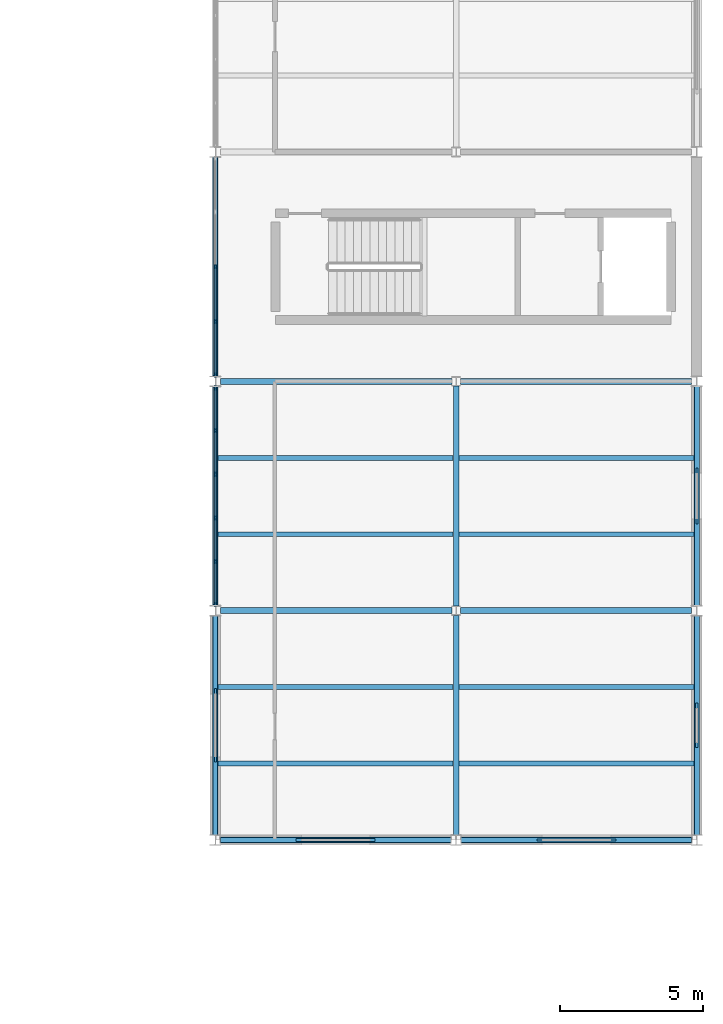
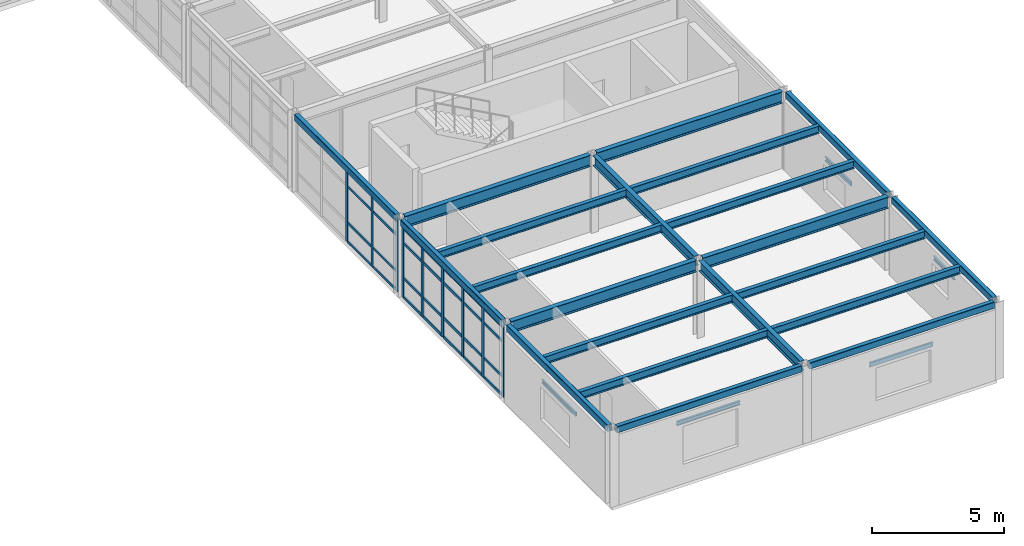
# One storey, part 30 of 96: 37 members, 26 beams, 2 elements without a shape of their own.
"""IFC4 building model written with IfcOpenShell, lengths in metres."""

import ifcopenshell
import ifcopenshell.guid

model = None  # the IFC model being written
_history = None  # IfcOwnerHistory: only IFC2X3 demands one
_inside = {}  # id of a spatial element -> (the spatial element, [elements in it])
_under = {}  # id of a project, library or spatial element -> (it, [spatial elements below it])
_declared = {}  # id of a project -> (the project, [libraries it declares])
_typed = {}  # id of a type object -> (the type object, [elements of that type])
_made_of = {}  # id of a material, layer set ... -> (it, [elements and type objects made of it])


def new_model(schema):
    """Start an empty IFC model of exactly this schema.

    Asked for "IFC4X3", IfcOpenShell would pick the latest addendum, in which some entities
    have other attributes; the version numbers below select the first issue.
    IFC2X3 requires an IfcOwnerHistory on every rooted entity: one is made here for all.
    """
    global model, _history
    if schema == "IFC4X3":
        model = ifcopenshell.file(schema_version=(4, 3, 0, 0))
    else:
        model = ifcopenshell.file(schema=schema)
    _inside.clear()
    _under.clear()
    _declared.clear()
    _typed.clear()
    _made_of.clear()
    _history = None
    if model.schema == "IFC2X3":
        org = make("IfcOrganization", Name="unknown")
        user = make(
            "IfcPersonAndOrganization",
            ThePerson=make("IfcPerson", FamilyName="unknown"),
            TheOrganization=org,
        )
        app = make(
            "IfcApplication",
            ApplicationDeveloper=org,
            Version="unknown",
            ApplicationFullName="unknown",
            ApplicationIdentifier="unknown",
        )
        _history = make(
            "IfcOwnerHistory",
            OwningUser=user,
            OwningApplication=app,
            ChangeAction="ADDED",
            CreationDate=0,
        )
    return model


def make(cls, **values):
    """One entity of the class cls with the attributes given. An attribute that is None is left unset."""
    return model.create_entity(
        cls, **{name: value for name, value in values.items() if value is not None}
    )


def rooted(cls, **values):
    """An entity with a GlobalId (a new one), such as an element, a storey or a relation."""
    return make(cls, GlobalId=ifcopenshell.guid.new(), OwnerHistory=_history, **values)


def si_unit(unit_type, name, prefix=None):
    """IfcSIUnit, for example si_unit("LENGTHUNIT", "METRE", prefix="MILLI")."""
    return make("IfcSIUnit", UnitType=unit_type, Prefix=prefix, Name=name)


def assignment(units):
    """IfcUnitAssignment: the units of a project."""
    return None if units is None else make("IfcUnitAssignment", Units=units)


def point(xyz):
    """IfcCartesianPoint."""
    return None if xyz is None else make("IfcCartesianPoint", Coordinates=xyz)


def direction(xyz):
    """IfcDirection."""
    return None if xyz is None else make("IfcDirection", DirectionRatios=xyz)


def frame(location, z_axis=None, x_axis=None):
    """IfcAxis2Placement3D, a coordinate frame: its origin and axes. An axis left out is left unset."""
    return make(
        "IfcAxis2Placement3D",
        Location=point(location),
        Axis=direction(z_axis),
        RefDirection=direction(x_axis),
    )


def frame_2d(location, x_axis=None):
    """IfcAxis2Placement2D, a coordinate frame in the plane: its origin and x axis."""
    return make(
        "IfcAxis2Placement2D", Location=point(location), RefDirection=direction(x_axis)
    )


def origin():
    """The frame at (0, 0, 0) with its axes left unset."""
    return frame((0.0, 0.0, 0.0))


def origin_2d():
    """The frame at (0, 0) in the plane with its x axis left unset."""
    return frame_2d((0.0, 0.0))


def place(relative_to, where):
    """IfcLocalPlacement: puts the frame where relative to a parent placement (None: the world)."""
    return make(
        "IfcLocalPlacement", PlacementRelTo=relative_to, RelativePlacement=where
    )


def context(
    kind, dimensions, precision=None, world=None, true_north=None, identifier=None
):
    """IfcGeometricRepresentationContext, for example the 3D "Model" context."""
    return make(
        "IfcGeometricRepresentationContext",
        ContextIdentifier=identifier,
        ContextType=kind,
        CoordinateSpaceDimension=dimensions,
        Precision=precision,
        WorldCoordinateSystem=world,
        TrueNorth=true_north,
    )


def subcontext(parent, identifier, kind, view, scale=None):
    """IfcGeometricRepresentationSubContext, for example "Body" below "Model"."""
    return make(
        "IfcGeometricRepresentationSubContext",
        ContextIdentifier=identifier,
        ContextType=kind,
        ParentContext=parent,
        TargetScale=scale,
        TargetView=view,
    )


def project(units=None, contexts=None):
    """IfcProject with its units and contexts."""
    return rooted(
        "IfcProject",
        Name="project",
        RepresentationContexts=contexts,
        UnitsInContext=assignment(units),
    )


def spatial(cls, under=None, at=None, **own):
    """A site, building, storey or space (cls), placed at a placement, below another one or the project."""
    s = rooted(cls, ObjectPlacement=at, **own)
    if under is not None:
        _under.setdefault(under.id(), (under, []))[1].append(s)
    return s


def profile(cls, at=None, kind="AREA", **sizes):
    """A parametric profile (cls). Its sizes go by their IFC names, for example OverallWidth=200.0."""
    return make(cls, ProfileType=kind, Position=at, **sizes)


def rectangle(**sizes):
    """IfcRectangleProfileDef."""
    return profile("IfcRectangleProfileDef", **sizes)


def hollow_rectangle(**sizes):
    """IfcRectangleHollowProfileDef."""
    return profile("IfcRectangleHollowProfileDef", **sizes)


def i_section(**sizes):
    """IfcIShapeProfileDef."""
    return profile("IfcIShapeProfileDef", **sizes)


def u_section(**sizes):
    """IfcUShapeProfileDef."""
    return profile("IfcUShapeProfileDef", **sizes)


def extrude(swept, where, along, depth):
    """IfcExtrudedAreaSolid: the profile swept, set in the frame where, extruded along a direction by depth."""
    return make(
        "IfcExtrudedAreaSolid",
        SweptArea=swept,
        Position=where,
        ExtrudedDirection=direction(along),
        Depth=depth,
    )


def shape(context_of_items, identifier, shape_type, items):
    """IfcShapeRepresentation: the items that make up one representation, for example the "Body"."""
    return make(
        "IfcShapeRepresentation",
        ContextOfItems=context_of_items,
        RepresentationIdentifier=identifier,
        RepresentationType=shape_type,
        Items=items,
    )


def material(Name=None, Category=None):
    """IfcMaterial."""
    return make("IfcMaterial", Name=Name, Category=Category)


def layer(
    of_material, thickness, ventilated=None, Name=None, Category=None, Priority=None
):
    """IfcMaterialLayer: one layer of a wall or slab, of a material (None: an air gap)."""
    return make(
        "IfcMaterialLayer",
        Material=of_material,
        LayerThickness=thickness,
        IsVentilated=ventilated,
        Name=Name,
        Category=Category,
        Priority=Priority,
    )


def layer_set(layers, Name=None):
    """IfcMaterialLayerSet."""
    return make("IfcMaterialLayerSet", MaterialLayers=layers, LayerSetName=Name)


def material_profile(
    of_material, cross_section, Name=None, Category=None, Priority=None
):
    """IfcMaterialProfile: a cross section and its material."""
    return make(
        "IfcMaterialProfile",
        Name=Name,
        Material=of_material,
        Profile=cross_section,
        Priority=Priority,
        Category=Category,
    )


def profile_set(profiles, Name=None, composite=None):
    """IfcMaterialProfileSet."""
    return make(
        "IfcMaterialProfileSet",
        Name=Name,
        MaterialProfiles=profiles,
        CompositeProfile=composite,
    )


def made_of(thing, what):
    """Note that an element or type object is made of a material, layer set ...; save() writes the relation."""
    if what is not None:
        _made_of.setdefault(what.id(), (what, []))[1].append(thing)
    return thing


def type_object(cls, material=None, **own):
    """A type object (cls), such as IfcWallType, which elements share."""
    return made_of(rooted(cls, **own), material)


def element(
    cls,
    number,
    at=None,
    inside=None,
    cuts=None,
    type_object=None,
    material=None,
    context=None,
    identifier="Body",
    shape_type=None,
    held_by="IfcProductDefinitionShape",
    body=None,
    shapes=None,
    **own,
):
    """One element of the class cls, such as IfcWall. Its Tag is "e" and its number.

    at: its placement. inside: the storey or other place that contains it. cuts: it is an
    opening in that element (IfcRelVoidsElement). A single representation is given by context,
    identifier, shape_type and body (its items); several are given by shapes. held_by: the class
    of the entity that holds the representations. save() writes the other relations.
    """
    e = rooted(cls, Tag="e%d" % number, ObjectPlacement=at, **own)
    if body is not None:
        shapes = [shape(context, identifier, shape_type, body)]
    if shapes is not None:
        e.Representation = make(held_by, Representations=shapes)
    if inside is not None:
        _inside.setdefault(inside.id(), (inside, []))[1].append(e)
    if cuts is not None:
        rooted(
            "IfcRelVoidsElement", RelatingBuildingElement=cuts, RelatedOpeningElement=e
        )
    if type_object is not None:
        _typed.setdefault(type_object.id(), (type_object, []))[1].append(e)
    return made_of(e, material)


def aggregate(whole, parts):
    """IfcRelAggregates: a whole, such as a stair, and the parts it consists of."""
    return rooted("IfcRelAggregates", RelatingObject=whole, RelatedObjects=parts)


def save(model, path):
    """Write the relations noted so far, then the file.

    IfcRelAggregates (storeys below a building ...), IfcRelContainedInSpatialStructure (elements
    in a storey), IfcRelDefinesByType, IfcRelAssociatesMaterial and IfcRelDeclares: one each for
    every whole, place, type object, material and project.
    """
    for whole, parts in _under.values():
        aggregate(whole, parts)
    for where, things in _inside.values():
        rooted(
            "IfcRelContainedInSpatialStructure",
            RelatedElements=things,
            RelatingStructure=where,
        )
    for kind, things in _typed.values():
        rooted("IfcRelDefinesByType", RelatedObjects=things, RelatingType=kind)
    for what, things in _made_of.values():
        rooted("IfcRelAssociatesMaterial", RelatedObjects=things, RelatingMaterial=what)
    for by, libraries in _declared.values():
        rooted("IfcRelDeclares", RelatingContext=by, RelatedDefinitions=libraries)
    model.write(path)


model = new_model("IFC4")

# Units and contexts
model_context = context("Model", 3, precision=1e-05, world=origin(), true_north=direction((0.0, 1.0)))
body_context = subcontext(model_context, "Body", "Model", "MODEL_VIEW")
ifc_project = project(units=[si_unit("LENGTHUNIT", "METRE"), si_unit("AREAUNIT", "SQUARE_METRE"), si_unit("VOLUMEUNIT", "CUBIC_METRE"), si_unit("PLANEANGLEUNIT", "RADIAN"), si_unit("MASSUNIT", "GRAM", prefix="KILO")], contexts=[model_context])

# Site, building, storey
site_placement = place(None, origin())
site = spatial("IfcSite", under=ifc_project, at=site_placement, CompositionType="ELEMENT")
building_placement = place(site_placement, origin())
building = spatial("IfcBuilding", under=site, at=building_placement, Name="Kranzveld Transit Interchange", CompositionType="ELEMENT")
storey_placement = place(building_placement, frame((0.0, 0.0, 9.52001953125)))
storey = spatial("IfcBuildingStorey", under=building, at=storey_placement, Name="L02", CompositionType="ELEMENT", Elevation=9.52001953125)

# Beams
ifc_material_1 = material(Name="Steel S355JR", Category="steel")
ifc_material_profile_1 = material_profile(ifc_material_1, i_section(OverallWidth=0.19189453125, OverallDepth=0.46337890625, WebThickness=0.010498046875, FlangeThickness=0.017578125, FilletRadius=0.01025390625, at=origin_2d()), Name="UB 457x191x89")
ifc_profile_set_1 = profile_set([ifc_material_profile_1], Name="Steel S355JR")
beam_type_1 = type_object("IfcBeamType", Name="Beam Steel UB 457x191x89 S355JR", PredefinedType="BEAM", material=ifc_profile_set_1)
beam_1_placement = place(storey_placement, frame((159.60009765625, 56.17724609375, 3.33837890625), z_axis=(0.0, 1.0, 0.0), x_axis=(-1.0, 0.0, 0.0)))
element("IfcBeam", 1, at=beam_1_placement, inside=storey, type_object=beam_type_1, Name="L02 Girder 20/H-J", PredefinedType="BEAM", context=body_context, shape_type="SweptSolid", body=[
    extrude(i_section(OverallWidth=0.19189453125, OverallDepth=0.46337890625, WebThickness=0.010498046875, FlangeThickness=0.017578125, FilletRadius=0.01025390625, at=origin_2d()), origin(), (0.0, 0.0, 1.0), 7.662841796875),
])
beam_2_placement = place(storey_placement, frame((159.60009765625, 64.159912109375, 3.33837890625), z_axis=(0.0, 1.0, 0.0), x_axis=(-1.0, 0.0, 0.0)))
element("IfcBeam", 2, at=beam_2_placement, inside=storey, type_object=beam_type_1, Name="L02 Girder 20/J-K", PredefinedType="BEAM", context=body_context, shape_type="SweptSolid", body=[
    extrude(i_section(OverallWidth=0.19189453125, OverallDepth=0.46337890625, WebThickness=0.010498046875, FlangeThickness=0.017578125, FilletRadius=0.01025390625, at=origin_2d()), origin(), (0.0, 0.0, 1.0), 7.68017578125),
])

# Curtain wall, members
ifc_material_2 = material(Name="Bronze-anodised thermally broken aluminium", Category="aluminium")
ifc_layer_1 = layer(ifc_material_2, 0.159912109375)
ifc_layer_set_1 = layer_set([ifc_layer_1], Name="Bronze-anodised thermally broken aluminium")
curtain_wall_type_1 = type_object("IfcCurtainWallType", Name="Bus Boarding Glazed Screen CW-3", PredefinedType="USERDEFINED", material=ifc_layer_set_1)
curtain_wall_1_placement = place(storey_placement, origin())
curtain_wall_1 = element("IfcCurtainWall", 3, at=curtain_wall_1_placement, inside=storey, type_object=curtain_wall_type_1, Name="L02 Curtain Wall 19/K-19/L", ObjectType="CURTAIN WALL", PredefinedType="USERDEFINED")
ifc_material_3 = material(Name="Bronze-anodised thermally broken aluminium", Category="aluminium")
ifc_material_profile_2 = material_profile(ifc_material_3, rectangle(XDim=0.06005859375, YDim=0.14990234375, at=origin_2d()), Name="ALU MULLION 60x150")
ifc_profile_set_2 = profile_set([ifc_material_profile_2], Name="Bronze-anodised thermally broken aluminium")
member_type_1 = type_object("IfcMemberType", Name="Curtain Wall Mullion 60x150 Alu", PredefinedType="MULLION", material=ifc_profile_set_2)
member_1_placement = place(storey_placement, frame((151.199951171875, 72.21728515625, 0.0), z_axis=(0.0, 0.0, 1.0), x_axis=(-1.0, 0.0, 0.0)))
member_1 = element("IfcMember", 4, at=member_1_placement, type_object=member_type_1, Name="CW-3 mullion 1", PredefinedType="MULLION", context=body_context, shape_type="SweptSolid", body=[
    extrude(rectangle(XDim=0.06005859375, YDim=0.14990234375, at=origin_2d()), origin(), (0.0, 0.0, 1.0), 3.27001953125),
])
member_2_placement = place(storey_placement, frame((151.199951171875, 74.09375, 0.0), z_axis=(0.0, 0.0, 1.0), x_axis=(-1.0, 0.0, 0.0)))
member_2 = element("IfcMember", 5, at=member_2_placement, type_object=member_type_1, Name="CW-3 mullion 2", PredefinedType="MULLION", context=body_context, shape_type="SweptSolid", body=[
    extrude(rectangle(XDim=0.06005859375, YDim=0.14990234375, at=origin_2d()), origin(), (0.0, 0.0, 1.0), 3.27001953125),
])
member_3_placement = place(storey_placement, frame((151.199951171875, 76.0, 0.0), z_axis=(0.0, 0.0, 1.0), x_axis=(-1.0, 0.0, 0.0)))
member_3 = element("IfcMember", 6, at=member_3_placement, type_object=member_type_1, Name="CW-3 mullion 3", PredefinedType="MULLION", context=body_context, shape_type="SweptSolid", body=[
    extrude(rectangle(XDim=0.06005859375, YDim=0.14990234375, at=origin_2d()), origin(), (0.0, 0.0, 1.0), 3.27001953125),
])

ifc_material_4 = material(Name="Bronze-anodised thermally broken aluminium", Category="aluminium")
ifc_layer_2 = layer(ifc_material_4, 0.1650390625)
ifc_layer_set_2 = layer_set([ifc_layer_2], Name="Bronze-anodised thermally broken aluminium")
curtain_wall_type_2 = type_object("IfcCurtainWallType", Name="Sunny Court Arcade Curtain Wall CW-2", PredefinedType="USERDEFINED", material=ifc_layer_set_2)
curtain_wall_2_placement = place(storey_placement, origin())
curtain_wall_2 = element("IfcCurtainWall", 7, at=curtain_wall_2_placement, inside=storey, type_object=curtain_wall_type_2, Name="L02 Curtain Wall 19/J-19/K", ObjectType="CURTAIN WALL", PredefinedType="USERDEFINED")
ifc_material_5 = material(Name="Bronze-anodised thermally broken aluminium", Category="aluminium")
ifc_material_profile_3 = material_profile(ifc_material_5, rectangle(XDim=0.06494140625, YDim=0.1650390625, at=origin_2d()), Name="ALU MULLION 65x165")
ifc_profile_set_3 = profile_set([ifc_material_profile_3], Name="Bronze-anodised thermally broken aluminium")
member_type_2 = type_object("IfcMemberType", Name="Curtain Wall Mullion 65x165 Alu", PredefinedType="MULLION", material=ifc_profile_set_3)
member_4_placement = place(storey_placement, frame((151.199951171875, 64.2197265625, 0.0), z_axis=(0.0, 0.0, 1.0), x_axis=(-1.0, 0.0, 0.0)))
member_4 = element("IfcMember", 8, at=member_4_placement, type_object=member_type_2, Name="CW-2 mullion 1", PredefinedType="MULLION", context=body_context, shape_type="SweptSolid", body=[
    extrude(rectangle(XDim=0.06494140625, YDim=0.1650390625, at=origin_2d()), origin(), (0.0, 0.0, 1.0), 3.218505859375),
])
member_5_placement = place(storey_placement, frame((151.199951171875, 65.71240234375, 0.0), z_axis=(0.0, 0.0, 1.0), x_axis=(-1.0, 0.0, 0.0)))
member_5 = element("IfcMember", 9, at=member_5_placement, type_object=member_type_2, Name="CW-2 mullion 2", PredefinedType="MULLION", context=body_context, shape_type="SweptSolid", body=[
    extrude(rectangle(XDim=0.06494140625, YDim=0.1650390625, at=origin_2d()), origin(), (0.0, 0.0, 1.0), 3.218505859375),
])
member_6_placement = place(storey_placement, frame((151.199951171875, 67.237548828125, 0.0), z_axis=(0.0, 0.0, 1.0), x_axis=(-1.0, 0.0, 0.0)))
member_6 = element("IfcMember", 10, at=member_6_placement, type_object=member_type_2, Name="CW-2 mullion 3", PredefinedType="MULLION", context=body_context, shape_type="SweptSolid", body=[
    extrude(rectangle(XDim=0.06494140625, YDim=0.1650390625, at=origin_2d()), origin(), (0.0, 0.0, 1.0), 3.218505859375),
])
member_7_placement = place(storey_placement, frame((151.199951171875, 68.762451171875, 0.0), z_axis=(0.0, 0.0, 1.0), x_axis=(-1.0, 0.0, 0.0)))
member_7 = element("IfcMember", 11, at=member_7_placement, type_object=member_type_2, Name="CW-2 mullion 4", PredefinedType="MULLION", context=body_context, shape_type="SweptSolid", body=[
    extrude(rectangle(XDim=0.06494140625, YDim=0.1650390625, at=origin_2d()), origin(), (0.0, 0.0, 1.0), 3.218505859375),
])
member_8_placement = place(storey_placement, frame((151.199951171875, 70.28759765625, 0.0), z_axis=(0.0, 0.0, 1.0), x_axis=(-1.0, 0.0, 0.0)))
member_8 = element("IfcMember", 12, at=member_8_placement, type_object=member_type_2, Name="CW-2 mullion 5", PredefinedType="MULLION", context=body_context, shape_type="SweptSolid", body=[
    extrude(rectangle(XDim=0.06494140625, YDim=0.1650390625, at=origin_2d()), origin(), (0.0, 0.0, 1.0), 3.218505859375),
])
member_9_placement = place(storey_placement, frame((151.199951171875, 71.7802734375, 0.0), z_axis=(0.0, 0.0, 1.0), x_axis=(-1.0, 0.0, 0.0)))
member_9 = element("IfcMember", 13, at=member_9_placement, type_object=member_type_2, Name="CW-2 mullion 6", PredefinedType="MULLION", context=body_context, shape_type="SweptSolid", body=[
    extrude(rectangle(XDim=0.06494140625, YDim=0.1650390625, at=origin_2d()), origin(), (0.0, 0.0, 1.0), 3.218505859375),
])

# Member
ifc_material_6 = material(Name="Bronze-anodised thermally broken aluminium", Category="aluminium")
ifc_material_profile_4 = material_profile(ifc_material_6, rectangle(XDim=0.06005859375, YDim=0.110107421875, at=origin_2d()), Name="ALU TRANSOM 60x110")
ifc_profile_set_4 = profile_set([ifc_material_profile_4], Name="Bronze-anodised thermally broken aluminium")
member_type_3 = type_object("IfcMemberType", Name="Curtain Wall Transom 60x110 Alu", PredefinedType="USERDEFINED", material=ifc_profile_set_4)
member_10_placement = place(storey_placement, frame((151.199951171875, 72.247314453125, 0.030029296875), z_axis=(0.0, 1.0, 0.0), x_axis=(-1.0, 0.0, 0.0)))
member_10 = element("IfcMember", 14, at=member_10_placement, type_object=member_type_3, Name="CW-3 transom 1.1", ObjectType="TRANSOM", PredefinedType="USERDEFINED", context=body_context, shape_type="SweptSolid", body=[
    extrude(rectangle(XDim=0.06005859375, YDim=0.110107421875, at=origin_2d()), origin(), (0.0, 0.0, 1.0), 1.81640625),
])

member_11_placement = place(storey_placement, frame((151.199951171875, 72.247314453125, 0.89990234375), z_axis=(0.0, 1.0, 0.0), x_axis=(-1.0, 0.0, 0.0)))
member_11 = element("IfcMember", 15, at=member_11_placement, type_object=member_type_3, Name="CW-3 transom 1.2", ObjectType="TRANSOM", PredefinedType="USERDEFINED", context=body_context, shape_type="SweptSolid", body=[
    extrude(rectangle(XDim=0.06005859375, YDim=0.110107421875, at=origin_2d()), origin(), (0.0, 0.0, 1.0), 1.81640625),
])

member_12_placement = place(storey_placement, frame((151.199951171875, 72.247314453125, 2.570068359375), z_axis=(0.0, 1.0, 0.0), x_axis=(-1.0, 0.0, 0.0)))
member_12 = element("IfcMember", 16, at=member_12_placement, type_object=member_type_3, Name="CW-3 transom 1.3", ObjectType="TRANSOM", PredefinedType="USERDEFINED", context=body_context, shape_type="SweptSolid", body=[
    extrude(rectangle(XDim=0.06005859375, YDim=0.110107421875, at=origin_2d()), origin(), (0.0, 0.0, 1.0), 1.81640625),
])

member_13_placement = place(storey_placement, frame((151.199951171875, 72.247314453125, 3.239990234375), z_axis=(0.0, 1.0, 0.0), x_axis=(-1.0, 0.0, 0.0)))
member_13 = element("IfcMember", 17, at=member_13_placement, type_object=member_type_3, Name="CW-3 transom 1.4", ObjectType="TRANSOM", PredefinedType="USERDEFINED", context=body_context, shape_type="SweptSolid", body=[
    extrude(rectangle(XDim=0.06005859375, YDim=0.110107421875, at=origin_2d()), origin(), (0.0, 0.0, 1.0), 1.81640625),
])

member_14_placement = place(storey_placement, frame((151.199951171875, 74.12353515625, 0.030029296875), z_axis=(0.0, 1.0, 0.0), x_axis=(-1.0, 0.0, 0.0)))
member_14 = element("IfcMember", 18, at=member_14_placement, type_object=member_type_3, Name="CW-3 transom 2.1", ObjectType="TRANSOM", PredefinedType="USERDEFINED", context=body_context, shape_type="SweptSolid", body=[
    extrude(rectangle(XDim=0.06005859375, YDim=0.110107421875, at=origin_2d()), origin(), (0.0, 0.0, 1.0), 1.846435546875),
])

member_15_placement = place(storey_placement, frame((151.199951171875, 74.12353515625, 0.89990234375), z_axis=(0.0, 1.0, 0.0), x_axis=(-1.0, 0.0, 0.0)))
member_15 = element("IfcMember", 19, at=member_15_placement, type_object=member_type_3, Name="CW-3 transom 2.2", ObjectType="TRANSOM", PredefinedType="USERDEFINED", context=body_context, shape_type="SweptSolid", body=[
    extrude(rectangle(XDim=0.06005859375, YDim=0.110107421875, at=origin_2d()), origin(), (0.0, 0.0, 1.0), 1.846435546875),
])

member_16_placement = place(storey_placement, frame((151.199951171875, 74.12353515625, 2.570068359375), z_axis=(0.0, 1.0, 0.0), x_axis=(-1.0, 0.0, 0.0)))
member_16 = element("IfcMember", 20, at=member_16_placement, type_object=member_type_3, Name="CW-3 transom 2.3", ObjectType="TRANSOM", PredefinedType="USERDEFINED", context=body_context, shape_type="SweptSolid", body=[
    extrude(rectangle(XDim=0.06005859375, YDim=0.110107421875, at=origin_2d()), origin(), (0.0, 0.0, 1.0), 1.846435546875),
])

member_17_placement = place(storey_placement, frame((151.199951171875, 74.12353515625, 3.239990234375), z_axis=(0.0, 1.0, 0.0), x_axis=(-1.0, 0.0, 0.0)))
member_17 = element("IfcMember", 21, at=member_17_placement, type_object=member_type_3, Name="CW-3 transom 2.4", ObjectType="TRANSOM", PredefinedType="USERDEFINED", context=body_context, shape_type="SweptSolid", body=[
    extrude(rectangle(XDim=0.06005859375, YDim=0.110107421875, at=origin_2d()), origin(), (0.0, 0.0, 1.0), 1.846435546875),
])

aggregate(curtain_wall_1, [member_1, member_2, member_3, member_10, member_11, member_12, member_13, member_14, member_15, member_16, member_17])

ifc_material_7 = material(Name="Bronze-anodised thermally broken aluminium", Category="aluminium")
ifc_material_profile_5 = material_profile(ifc_material_7, rectangle(XDim=0.06005859375, YDim=0.125, at=origin_2d()), Name="ALU TRANSOM 60x125")
ifc_profile_set_5 = profile_set([ifc_material_profile_5], Name="Bronze-anodised thermally broken aluminium")
member_type_4 = type_object("IfcMemberType", Name="Curtain Wall Transom 60x125 Alu", PredefinedType="USERDEFINED", material=ifc_profile_set_5)
member_18_placement = place(storey_placement, frame((151.199951171875, 64.252197265625, 0.030029296875), z_axis=(0.0, 1.0, 0.0), x_axis=(-1.0, 0.0, 0.0)))
member_18 = element("IfcMember", 22, at=member_18_placement, type_object=member_type_4, Name="CW-2 transom 1.1", ObjectType="TRANSOM", PredefinedType="USERDEFINED", context=body_context, shape_type="SweptSolid", body=[
    extrude(rectangle(XDim=0.06005859375, YDim=0.125, at=origin_2d()), origin(), (0.0, 0.0, 1.0), 1.427734375),
])

member_19_placement = place(storey_placement, frame((151.199951171875, 64.252197265625, 0.89990234375), z_axis=(0.0, 1.0, 0.0), x_axis=(-1.0, 0.0, 0.0)))
member_19 = element("IfcMember", 23, at=member_19_placement, type_object=member_type_4, Name="CW-2 transom 1.2", ObjectType="TRANSOM", PredefinedType="USERDEFINED", context=body_context, shape_type="SweptSolid", body=[
    extrude(rectangle(XDim=0.06005859375, YDim=0.125, at=origin_2d()), origin(), (0.0, 0.0, 1.0), 1.427734375),
])

member_20_placement = place(storey_placement, frame((151.199951171875, 64.252197265625, 2.5185546875), z_axis=(0.0, 1.0, 0.0), x_axis=(-1.0, 0.0, 0.0)))
member_20 = element("IfcMember", 24, at=member_20_placement, type_object=member_type_4, Name="CW-2 transom 1.3", ObjectType="TRANSOM", PredefinedType="USERDEFINED", context=body_context, shape_type="SweptSolid", body=[
    extrude(rectangle(XDim=0.06005859375, YDim=0.125, at=origin_2d()), origin(), (0.0, 0.0, 1.0), 1.427734375),
])

member_21_placement = place(storey_placement, frame((151.199951171875, 64.252197265625, 3.1884765625), z_axis=(0.0, 1.0, 0.0), x_axis=(-1.0, 0.0, 0.0)))
member_21 = element("IfcMember", 25, at=member_21_placement, type_object=member_type_4, Name="CW-2 transom 1.4", ObjectType="TRANSOM", PredefinedType="USERDEFINED", context=body_context, shape_type="SweptSolid", body=[
    extrude(rectangle(XDim=0.06005859375, YDim=0.125, at=origin_2d()), origin(), (0.0, 0.0, 1.0), 1.427734375),
])

member_22_placement = place(storey_placement, frame((151.199951171875, 65.744873046875, 0.030029296875), z_axis=(0.0, 1.0, 0.0), x_axis=(-1.0, 0.0, 0.0)))
member_22 = element("IfcMember", 26, at=member_22_placement, type_object=member_type_4, Name="CW-2 transom 2.1", ObjectType="TRANSOM", PredefinedType="USERDEFINED", context=body_context, shape_type="SweptSolid", body=[
    extrude(rectangle(XDim=0.06005859375, YDim=0.125, at=origin_2d()), origin(), (0.0, 0.0, 1.0), 1.460205078125),
])

member_23_placement = place(storey_placement, frame((151.199951171875, 65.744873046875, 0.89990234375), z_axis=(0.0, 1.0, 0.0), x_axis=(-1.0, 0.0, 0.0)))
member_23 = element("IfcMember", 27, at=member_23_placement, type_object=member_type_4, Name="CW-2 transom 2.2", ObjectType="TRANSOM", PredefinedType="USERDEFINED", context=body_context, shape_type="SweptSolid", body=[
    extrude(rectangle(XDim=0.06005859375, YDim=0.125, at=origin_2d()), origin(), (0.0, 0.0, 1.0), 1.460205078125),
])

member_24_placement = place(storey_placement, frame((151.199951171875, 65.744873046875, 2.5185546875), z_axis=(0.0, 1.0, 0.0), x_axis=(-1.0, 0.0, 0.0)))
member_24 = element("IfcMember", 28, at=member_24_placement, type_object=member_type_4, Name="CW-2 transom 2.3", ObjectType="TRANSOM", PredefinedType="USERDEFINED", context=body_context, shape_type="SweptSolid", body=[
    extrude(rectangle(XDim=0.06005859375, YDim=0.125, at=origin_2d()), origin(), (0.0, 0.0, 1.0), 1.460205078125),
])

member_25_placement = place(storey_placement, frame((151.199951171875, 65.744873046875, 3.1884765625), z_axis=(0.0, 1.0, 0.0), x_axis=(-1.0, 0.0, 0.0)))
member_25 = element("IfcMember", 29, at=member_25_placement, type_object=member_type_4, Name="CW-2 transom 2.4", ObjectType="TRANSOM", PredefinedType="USERDEFINED", context=body_context, shape_type="SweptSolid", body=[
    extrude(rectangle(XDim=0.06005859375, YDim=0.125, at=origin_2d()), origin(), (0.0, 0.0, 1.0), 1.460205078125),
])

member_26_placement = place(storey_placement, frame((151.199951171875, 67.27001953125, 0.030029296875), z_axis=(0.0, 1.0, 0.0), x_axis=(-1.0, 0.0, 0.0)))
member_26 = element("IfcMember", 30, at=member_26_placement, type_object=member_type_4, Name="CW-2 transom 3.1", ObjectType="TRANSOM", PredefinedType="USERDEFINED", context=body_context, shape_type="SweptSolid", body=[
    extrude(rectangle(XDim=0.06005859375, YDim=0.125, at=origin_2d()), origin(), (0.0, 0.0, 1.0), 1.4599609375),
])

member_27_placement = place(storey_placement, frame((151.199951171875, 67.27001953125, 0.89990234375), z_axis=(0.0, 1.0, 0.0), x_axis=(-1.0, 0.0, 0.0)))
member_27 = element("IfcMember", 31, at=member_27_placement, type_object=member_type_4, Name="CW-2 transom 3.2", ObjectType="TRANSOM", PredefinedType="USERDEFINED", context=body_context, shape_type="SweptSolid", body=[
    extrude(rectangle(XDim=0.06005859375, YDim=0.125, at=origin_2d()), origin(), (0.0, 0.0, 1.0), 1.4599609375),
])

member_28_placement = place(storey_placement, frame((151.199951171875, 67.27001953125, 2.5185546875), z_axis=(0.0, 1.0, 0.0), x_axis=(-1.0, 0.0, 0.0)))
member_28 = element("IfcMember", 32, at=member_28_placement, type_object=member_type_4, Name="CW-2 transom 3.3", ObjectType="TRANSOM", PredefinedType="USERDEFINED", context=body_context, shape_type="SweptSolid", body=[
    extrude(rectangle(XDim=0.06005859375, YDim=0.125, at=origin_2d()), origin(), (0.0, 0.0, 1.0), 1.4599609375),
])

member_29_placement = place(storey_placement, frame((151.199951171875, 67.27001953125, 3.1884765625), z_axis=(0.0, 1.0, 0.0), x_axis=(-1.0, 0.0, 0.0)))
member_29 = element("IfcMember", 33, at=member_29_placement, type_object=member_type_4, Name="CW-2 transom 3.4", ObjectType="TRANSOM", PredefinedType="USERDEFINED", context=body_context, shape_type="SweptSolid", body=[
    extrude(rectangle(XDim=0.06005859375, YDim=0.125, at=origin_2d()), origin(), (0.0, 0.0, 1.0), 1.4599609375),
])

member_30_placement = place(storey_placement, frame((151.199951171875, 68.794921875, 0.030029296875), z_axis=(0.0, 1.0, 0.0), x_axis=(-1.0, 0.0, 0.0)))
member_30 = element("IfcMember", 34, at=member_30_placement, type_object=member_type_4, Name="CW-2 transom 4.1", ObjectType="TRANSOM", PredefinedType="USERDEFINED", context=body_context, shape_type="SweptSolid", body=[
    extrude(rectangle(XDim=0.06005859375, YDim=0.125, at=origin_2d()), origin(), (0.0, 0.0, 1.0), 1.460205078125),
])

member_31_placement = place(storey_placement, frame((151.199951171875, 68.794921875, 0.89990234375), z_axis=(0.0, 1.0, 0.0), x_axis=(-1.0, 0.0, 0.0)))
member_31 = element("IfcMember", 35, at=member_31_placement, type_object=member_type_4, Name="CW-2 transom 4.2", ObjectType="TRANSOM", PredefinedType="USERDEFINED", context=body_context, shape_type="SweptSolid", body=[
    extrude(rectangle(XDim=0.06005859375, YDim=0.125, at=origin_2d()), origin(), (0.0, 0.0, 1.0), 1.460205078125),
])

member_32_placement = place(storey_placement, frame((151.199951171875, 68.794921875, 2.5185546875), z_axis=(0.0, 1.0, 0.0), x_axis=(-1.0, 0.0, 0.0)))
member_32 = element("IfcMember", 36, at=member_32_placement, type_object=member_type_4, Name="CW-2 transom 4.3", ObjectType="TRANSOM", PredefinedType="USERDEFINED", context=body_context, shape_type="SweptSolid", body=[
    extrude(rectangle(XDim=0.06005859375, YDim=0.125, at=origin_2d()), origin(), (0.0, 0.0, 1.0), 1.460205078125),
])

member_33_placement = place(storey_placement, frame((151.199951171875, 68.794921875, 3.1884765625), z_axis=(0.0, 1.0, 0.0), x_axis=(-1.0, 0.0, 0.0)))
member_33 = element("IfcMember", 37, at=member_33_placement, type_object=member_type_4, Name="CW-2 transom 4.4", ObjectType="TRANSOM", PredefinedType="USERDEFINED", context=body_context, shape_type="SweptSolid", body=[
    extrude(rectangle(XDim=0.06005859375, YDim=0.125, at=origin_2d()), origin(), (0.0, 0.0, 1.0), 1.460205078125),
])

member_34_placement = place(storey_placement, frame((151.199951171875, 70.320068359375, 0.030029296875), z_axis=(0.0, 1.0, 0.0), x_axis=(-1.0, 0.0, 0.0)))
member_34 = element("IfcMember", 38, at=member_34_placement, type_object=member_type_4, Name="CW-2 transom 5.1", ObjectType="TRANSOM", PredefinedType="USERDEFINED", context=body_context, shape_type="SweptSolid", body=[
    extrude(rectangle(XDim=0.06005859375, YDim=0.125, at=origin_2d()), origin(), (0.0, 0.0, 1.0), 1.427734375),
])

member_35_placement = place(storey_placement, frame((151.199951171875, 70.320068359375, 0.89990234375), z_axis=(0.0, 1.0, 0.0), x_axis=(-1.0, 0.0, 0.0)))
member_35 = element("IfcMember", 39, at=member_35_placement, type_object=member_type_4, Name="CW-2 transom 5.2", ObjectType="TRANSOM", PredefinedType="USERDEFINED", context=body_context, shape_type="SweptSolid", body=[
    extrude(rectangle(XDim=0.06005859375, YDim=0.125, at=origin_2d()), origin(), (0.0, 0.0, 1.0), 1.427734375),
])

member_36_placement = place(storey_placement, frame((151.199951171875, 70.320068359375, 2.5185546875), z_axis=(0.0, 1.0, 0.0), x_axis=(-1.0, 0.0, 0.0)))
member_36 = element("IfcMember", 40, at=member_36_placement, type_object=member_type_4, Name="CW-2 transom 5.3", ObjectType="TRANSOM", PredefinedType="USERDEFINED", context=body_context, shape_type="SweptSolid", body=[
    extrude(rectangle(XDim=0.06005859375, YDim=0.125, at=origin_2d()), origin(), (0.0, 0.0, 1.0), 1.427734375),
])

member_37_placement = place(storey_placement, frame((151.199951171875, 70.320068359375, 3.1884765625), z_axis=(0.0, 1.0, 0.0), x_axis=(-1.0, 0.0, 0.0)))
member_37 = element("IfcMember", 41, at=member_37_placement, type_object=member_type_4, Name="CW-2 transom 5.4", ObjectType="TRANSOM", PredefinedType="USERDEFINED", context=body_context, shape_type="SweptSolid", body=[
    extrude(rectangle(XDim=0.06005859375, YDim=0.125, at=origin_2d()), origin(), (0.0, 0.0, 1.0), 1.427734375),
])

aggregate(curtain_wall_2, [member_4, member_5, member_6, member_7, member_8, member_9, member_18, member_19, member_20, member_21, member_22, member_23, member_24, member_25, member_26, member_27, member_28, member_29, member_30, member_31, member_32, member_33, member_34, member_35, member_36, member_37])

# Beams
ifc_material_8 = material(Name="Steel S355JR", Category="steel")
ifc_material_profile_6 = material_profile(ifc_material_8, hollow_rectangle(XDim=0.199951171875, YDim=0.300048828125, WallThickness=0.010009765625, InnerFilletRadius=0.014892578125, OuterFilletRadius=0.02490234375, at=origin_2d()), Name="RHS 300x200x10")
ifc_profile_set_6 = profile_set([ifc_material_profile_6], Name="Steel S355JR")
beam_type_2 = type_object("IfcBeamType", Name="Edge Spandrel RHS 300x200x10 S355JR", PredefinedType="SPANDREL", material=ifc_profile_set_6)
for number, where, z_axis, x_axis, name in (
    (42, (151.377197265625, 56.0, 3.419921875), (1.0, 0.0, 0.0), (0.0, 1.0, 0.0), "L02 Girder 19-20/H"),
    (43, (159.77734375, 56.0, 3.419921875), (1.0, 0.0, 0.0), (0.0, 1.0, 0.0), "L02 Girder 20-21/H"),
):
    element("IfcBeam", number, at=place(storey_placement, frame(where, z_axis=z_axis, x_axis=x_axis)), inside=storey, type_object=beam_type_2, Name=name, PredefinedType="SPANDREL", context=body_context, shape_type="SweptSolid", body=[
        extrude(hollow_rectangle(XDim=0.199951171875, YDim=0.300048828125, WallThickness=0.010009765625, InnerFilletRadius=0.014892578125, OuterFilletRadius=0.02490234375, at=origin_2d()), origin(), (0.0, 0.0, 1.0), 8.04541015625),
    ])
for number, where, z_axis, x_axis, name in (
    (44, (151.199951171875, 56.17724609375, 3.419921875), (0.0, 1.0, 0.0), (-1.0, 0.0, 0.0), "L02 Girder 19/H-J"),
    (45, (151.199951171875, 64.17724609375, 3.419921875), (0.0, 1.0, 0.0), (-1.0, 0.0, 0.0), "L02 Girder 19/J-K"),
    (46, (151.199951171875, 72.17724609375, 3.419921875), (0.0, 1.0, 0.0), (-1.0, 0.0, 0.0), "L02 Girder 19/K-L"),
    (47, (168.0, 56.17724609375, 3.419921875), (0.0, 1.0, 0.0), (-1.0, 0.0, 0.0), "L02 Girder 21/H-J"),
    (48, (168.0, 64.17724609375, 3.419921875), (0.0, 1.0, 0.0), (-1.0, 0.0, 0.0), "L02 Girder 21/J-K"),
):
    element("IfcBeam", number, at=place(storey_placement, frame(where, z_axis=z_axis, x_axis=x_axis)), inside=storey, type_object=beam_type_2, Name=name, PredefinedType="SPANDREL", context=body_context, shape_type="SweptSolid", body=[
        extrude(hollow_rectangle(XDim=0.199951171875, YDim=0.300048828125, WallThickness=0.010009765625, InnerFilletRadius=0.014892578125, OuterFilletRadius=0.02490234375, at=origin_2d()), origin(), (0.0, 0.0, 1.0), 7.6455078125),
    ])
ifc_material_9 = material(Name="Steel S355JR", Category="steel")
ifc_material_profile_7 = material_profile(ifc_material_9, i_section(OverallWidth=0.171142578125, OverallDepth=0.351318359375, WebThickness=0.007080078125, FlangeThickness=0.009765625, FilletRadius=0.01025390625, at=origin_2d()), Name="UB 356x171x45")
ifc_profile_set_7 = profile_set([ifc_material_profile_7], Name="Steel S355JR")
beam_type_3 = type_object("IfcBeamType", Name="Floor Joist UB 356x171x45 S355JR", PredefinedType="JOIST", material=ifc_profile_set_7)
for number, where, z_axis, x_axis, name in (
    (49, (151.302001953125, 58.666748046875, 3.394287109375), (1.0, 0.0, 0.0), (0.0, 1.0, 0.0), "L02 Secondary Joist 19-20/H.1"),
    (50, (151.302001953125, 61.333251953125, 3.394287109375), (1.0, 0.0, 0.0), (0.0, 1.0, 0.0), "L02 Secondary Joist 19-20/H.2"),
    (51, (151.302001953125, 66.666748046875, 3.394287109375), (1.0, 0.0, 0.0), (0.0, 1.0, 0.0), "L02 Secondary Joist 19-20/J.1"),
    (52, (151.302001953125, 69.333251953125, 3.394287109375), (1.0, 0.0, 0.0), (0.0, 1.0, 0.0), "L02 Secondary Joist 19-20/J.2"),
    (53, (159.697998046875, 58.666748046875, 3.394287109375), (1.0, 0.0, 0.0), (0.0, 1.0, 0.0), "L02 Secondary Joist 20-21/H.1"),
    (54, (159.697998046875, 61.333251953125, 3.394287109375), (1.0, 0.0, 0.0), (0.0, 1.0, 0.0), "L02 Secondary Joist 20-21/H.2"),
    (55, (159.697998046875, 66.666748046875, 3.394287109375), (1.0, 0.0, 0.0), (0.0, 1.0, 0.0), "L02 Secondary Joist 20-21/J.1"),
    (56, (159.697998046875, 69.333251953125, 3.394287109375), (1.0, 0.0, 0.0), (0.0, 1.0, 0.0), "L02 Secondary Joist 20-21/J.2"),
):
    element("IfcBeam", number, at=place(storey_placement, frame(where, z_axis=z_axis, x_axis=x_axis)), inside=storey, type_object=beam_type_3, Name=name, PredefinedType="JOIST", context=body_context, shape_type="SweptSolid", body=[
        extrude(i_section(OverallWidth=0.171142578125, OverallDepth=0.351318359375, WebThickness=0.007080078125, FlangeThickness=0.009765625, FilletRadius=0.01025390625, at=origin_2d()), origin(), (0.0, 0.0, 1.0), 8.199951171875),
    ])
ifc_material_10 = material(Name="Steel S355JR", Category="steel")
ifc_material_profile_8 = material_profile(ifc_material_10, i_section(OverallWidth=0.209228515625, OverallDepth=0.533203125, WebThickness=0.010009765625, FlangeThickness=0.015625, FilletRadius=0.0126953125, at=origin_2d()), Name="UB 533x210x92")
ifc_profile_set_8 = profile_set([ifc_material_profile_8], Name="Steel S355JR")
beam_type_4 = type_object("IfcBeamType", Name="Girder Steel UB 533x210x92 S355JR", PredefinedType="BEAM", material=ifc_profile_set_8)
beam_3_placement = place(storey_placement, frame((151.377197265625, 64.0, 3.303466796875), z_axis=(1.0, 0.0, 0.0), x_axis=(0.0, 1.0, 0.0)))
element("IfcBeam", 57, at=beam_3_placement, inside=storey, type_object=beam_type_4, Name="L02 Girder 19-20/J", PredefinedType="BEAM", context=body_context, shape_type="SweptSolid", body=[
    extrude(i_section(OverallWidth=0.209228515625, OverallDepth=0.533203125, WebThickness=0.010009765625, FlangeThickness=0.015625, FilletRadius=0.0126953125, at=origin_2d()), origin(), (0.0, 0.0, 1.0), 8.07568359375),
])
beam_4_placement = place(storey_placement, frame((159.747314453125, 64.0, 3.303466796875), z_axis=(1.0, 0.0, 0.0), x_axis=(0.0, 1.0, 0.0)))
element("IfcBeam", 58, at=beam_4_placement, inside=storey, type_object=beam_type_4, Name="L02 Girder 20-21/J", PredefinedType="BEAM", context=body_context, shape_type="SweptSolid", body=[
    extrude(i_section(OverallWidth=0.209228515625, OverallDepth=0.533203125, WebThickness=0.010009765625, FlangeThickness=0.015625, FilletRadius=0.0126953125, at=origin_2d()), origin(), (0.0, 0.0, 1.0), 8.075439453125),
])
beam_5_placement = place(storey_placement, frame((151.377197265625, 72.0, 3.303466796875), z_axis=(1.0, 0.0, 0.0), x_axis=(0.0, 1.0, 0.0)))
element("IfcBeam", 59, at=beam_5_placement, inside=storey, type_object=beam_type_4, Name="L02 Girder 19-20/K", PredefinedType="BEAM", context=body_context, shape_type="SweptSolid", body=[
    extrude(i_section(OverallWidth=0.209228515625, OverallDepth=0.533203125, WebThickness=0.010009765625, FlangeThickness=0.015625, FilletRadius=0.0126953125, at=origin_2d()), origin(), (0.0, 0.0, 1.0), 8.07568359375),
])
beam_6_placement = place(storey_placement, frame((159.747314453125, 72.0, 3.303466796875), z_axis=(1.0, 0.0, 0.0), x_axis=(0.0, 1.0, 0.0)))
element("IfcBeam", 60, at=beam_6_placement, inside=storey, type_object=beam_type_4, Name="L02 Girder 20-21/K", PredefinedType="BEAM", context=body_context, shape_type="SweptSolid", body=[
    extrude(i_section(OverallWidth=0.209228515625, OverallDepth=0.533203125, WebThickness=0.010009765625, FlangeThickness=0.015625, FilletRadius=0.0126953125, at=origin_2d()), origin(), (0.0, 0.0, 1.0), 8.075439453125),
])
ifc_material_11 = material(Name="Steel S355JR", Category="steel")
ifc_material_profile_9 = material_profile(ifc_material_11, u_section(Depth=0.179931640625, FlangeWidth=0.070068359375, WebThickness=0.007080078125, FlangeThickness=0.010986328125, FilletRadius=0.010009765625, at=origin_2d()), Name="PFC 180x70x22")
ifc_profile_set_9 = profile_set([ifc_material_profile_9], Name="Steel S355JR")
beam_type_5 = type_object("IfcBeamType", Name="Masonry Lintel PFC 180x70x22 S355JR", PredefinedType="LINTEL", material=ifc_profile_set_9)
beam_7_placement = place(storey_placement, frame((151.199951171875, 58.719970703125, 2.494873046875), z_axis=(0.0, 1.0, 0.0), x_axis=(-1.0, 0.0, 0.0)))
element("IfcBeam", 61, at=beam_7_placement, inside=storey, type_object=beam_type_5, Name="L02 Window Lintel 129", PredefinedType="LINTEL", context=body_context, shape_type="SweptSolid", body=[
    extrude(u_section(Depth=0.179931640625, FlangeWidth=0.070068359375, WebThickness=0.007080078125, FlangeThickness=0.010986328125, FilletRadius=0.010009765625, at=origin_2d()), origin(), (0.0, 0.0, 1.0), 2.56005859375),
])
ifc_material_12 = material(Name="Steel S355JR", Category="steel")
ifc_material_profile_10 = material_profile(ifc_material_12, u_section(Depth=0.199951171875, FlangeWidth=0.074951171875, WebThickness=0.006103515625, FlangeThickness=0.012451171875, FilletRadius=0.011962890625, at=origin_2d()), Name="PFC 200x75x23")
ifc_profile_set_10 = profile_set([ifc_material_profile_10], Name="Steel S355JR")
beam_type_6 = type_object("IfcBeamType", Name="Masonry Lintel PFC 200x75x23 S355JR", PredefinedType="LINTEL", material=ifc_profile_set_10)
beam_8_placement = place(storey_placement, frame((162.419921875, 56.0, 2.5048828125), z_axis=(1.0, 0.0, 0.0), x_axis=(0.0, 1.0, 0.0)))
element("IfcBeam", 62, at=beam_8_placement, inside=storey, type_object=beam_type_6, Name="L02 Window Lintel 128", PredefinedType="LINTEL", context=body_context, shape_type="SweptSolid", body=[
    extrude(u_section(Depth=0.199951171875, FlangeWidth=0.074951171875, WebThickness=0.006103515625, FlangeThickness=0.012451171875, FilletRadius=0.011962890625, at=origin_2d()), origin(), (0.0, 0.0, 1.0), 2.760009765625),
])
beam_9_placement = place(storey_placement, frame((168.0, 67.02001953125, 2.205078125), z_axis=(0.0, 1.0, 0.0), x_axis=(-1.0, 0.0, 0.0)))
element("IfcBeam", 63, at=beam_9_placement, inside=storey, type_object=beam_type_6, Name="L02 Window Lintel 140", PredefinedType="LINTEL", context=body_context, shape_type="SweptSolid", body=[
    extrude(u_section(Depth=0.199951171875, FlangeWidth=0.074951171875, WebThickness=0.006103515625, FlangeThickness=0.012451171875, FilletRadius=0.011962890625, at=origin_2d()), origin(), (0.0, 0.0, 1.0), 1.9599609375),
])
ifc_material_13 = material(Name="Steel S355JR", Category="steel")
ifc_material_profile_11 = material_profile(ifc_material_13, i_section(OverallWidth=0.091064453125, OverallDepth=0.179931640625, WebThickness=0.00537109375, FlangeThickness=0.008056640625, FilletRadius=0.009033203125, at=origin_2d()), Name="IPE 180")
ifc_profile_set_11 = profile_set([ifc_material_profile_11], Name="Steel S355JR")
beam_type_7 = type_object("IfcBeamType", Name="Opening Lintel IPE 180 S355JR", PredefinedType="LINTEL", material=ifc_profile_set_11)
beam_10_placement = place(storey_placement, frame((154.02001953125, 56.0, 2.744873046875), z_axis=(1.0, 0.0, 0.0), x_axis=(0.0, 1.0, 0.0)))
element("IfcBeam", 64, at=beam_10_placement, inside=storey, type_object=beam_type_7, Name="L02 Window Lintel 127", PredefinedType="LINTEL", context=body_context, shape_type="SweptSolid", body=[
    extrude(i_section(OverallWidth=0.091064453125, OverallDepth=0.179931640625, WebThickness=0.00537109375, FlangeThickness=0.008056640625, FilletRadius=0.009033203125, at=origin_2d()), origin(), (0.0, 0.0, 1.0), 2.760009765625),
])
beam_11_placement = place(storey_placement, frame((168.0, 59.219970703125, 2.594970703125), z_axis=(0.0, 1.0, 0.0), x_axis=(-1.0, 0.0, 0.0)))
element("IfcBeam", 65, at=beam_11_placement, inside=storey, type_object=beam_type_7, Name="L02 Window Lintel 139", PredefinedType="LINTEL", context=body_context, shape_type="SweptSolid", body=[
    extrude(i_section(OverallWidth=0.091064453125, OverallDepth=0.179931640625, WebThickness=0.00537109375, FlangeThickness=0.008056640625, FilletRadius=0.009033203125, at=origin_2d()), origin(), (0.0, 0.0, 1.0), 1.56005859375),
])

save(model, "model.ifc")
